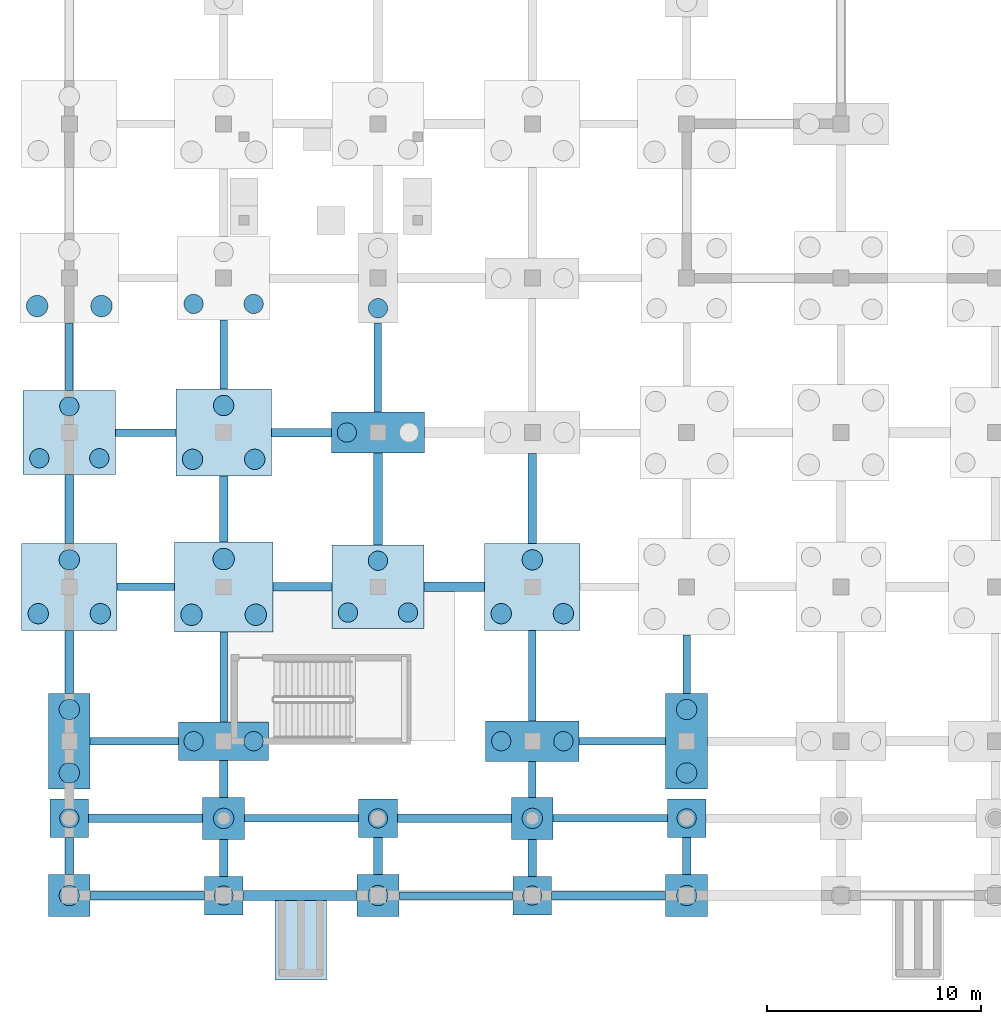
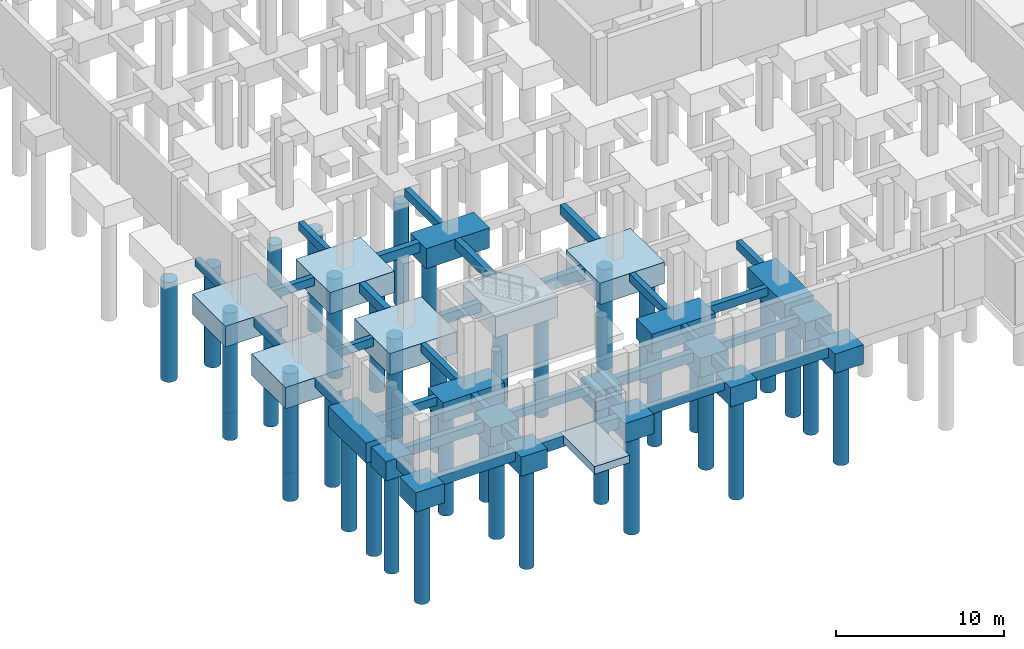
# One storey, part 1 of 35: 55 footings, 42 piles.
"""IFC4 building model written with IfcOpenShell, lengths in metres."""

import ifcopenshell
import ifcopenshell.guid

model = None  # the IFC model being written
_history = None  # IfcOwnerHistory: only IFC2X3 demands one
_inside = {}  # id of a spatial element -> (the spatial element, [elements in it])
_under = {}  # id of a project, library or spatial element -> (it, [spatial elements below it])
_declared = {}  # id of a project -> (the project, [libraries it declares])
_typed = {}  # id of a type object -> (the type object, [elements of that type])
_made_of = {}  # id of a material, layer set ... -> (it, [elements and type objects made of it])


def new_model(schema):
    """Start an empty IFC model of exactly this schema.

    Asked for "IFC4X3", IfcOpenShell would pick the latest addendum, in which some entities
    have other attributes; the version numbers below select the first issue.
    IFC2X3 requires an IfcOwnerHistory on every rooted entity: one is made here for all.
    """
    global model, _history
    if schema == "IFC4X3":
        model = ifcopenshell.file(schema_version=(4, 3, 0, 0))
    else:
        model = ifcopenshell.file(schema=schema)
    _inside.clear()
    _under.clear()
    _declared.clear()
    _typed.clear()
    _made_of.clear()
    _history = None
    if model.schema == "IFC2X3":
        org = make("IfcOrganization", Name="unknown")
        user = make(
            "IfcPersonAndOrganization",
            ThePerson=make("IfcPerson", FamilyName="unknown"),
            TheOrganization=org,
        )
        app = make(
            "IfcApplication",
            ApplicationDeveloper=org,
            Version="unknown",
            ApplicationFullName="unknown",
            ApplicationIdentifier="unknown",
        )
        _history = make(
            "IfcOwnerHistory",
            OwningUser=user,
            OwningApplication=app,
            ChangeAction="ADDED",
            CreationDate=0,
        )
    return model


def make(cls, **values):
    """One entity of the class cls with the attributes given. An attribute that is None is left unset."""
    return model.create_entity(
        cls, **{name: value for name, value in values.items() if value is not None}
    )


def rooted(cls, **values):
    """An entity with a GlobalId (a new one), such as an element, a storey or a relation."""
    return make(cls, GlobalId=ifcopenshell.guid.new(), OwnerHistory=_history, **values)


def si_unit(unit_type, name, prefix=None):
    """IfcSIUnit, for example si_unit("LENGTHUNIT", "METRE", prefix="MILLI")."""
    return make("IfcSIUnit", UnitType=unit_type, Prefix=prefix, Name=name)


def assignment(units):
    """IfcUnitAssignment: the units of a project."""
    return None if units is None else make("IfcUnitAssignment", Units=units)


def point(xyz):
    """IfcCartesianPoint."""
    return None if xyz is None else make("IfcCartesianPoint", Coordinates=xyz)


def direction(xyz):
    """IfcDirection."""
    return None if xyz is None else make("IfcDirection", DirectionRatios=xyz)


def frame(location, z_axis=None, x_axis=None):
    """IfcAxis2Placement3D, a coordinate frame: its origin and axes. An axis left out is left unset."""
    return make(
        "IfcAxis2Placement3D",
        Location=point(location),
        Axis=direction(z_axis),
        RefDirection=direction(x_axis),
    )


def frame_2d(location, x_axis=None):
    """IfcAxis2Placement2D, a coordinate frame in the plane: its origin and x axis."""
    return make(
        "IfcAxis2Placement2D", Location=point(location), RefDirection=direction(x_axis)
    )


def origin():
    """The frame at (0, 0, 0) with its axes left unset."""
    return frame((0.0, 0.0, 0.0))


def origin_2d():
    """The frame at (0, 0) in the plane with its x axis left unset."""
    return frame_2d((0.0, 0.0))


def place(relative_to, where):
    """IfcLocalPlacement: puts the frame where relative to a parent placement (None: the world)."""
    return make(
        "IfcLocalPlacement", PlacementRelTo=relative_to, RelativePlacement=where
    )


def context(
    kind, dimensions, precision=None, world=None, true_north=None, identifier=None
):
    """IfcGeometricRepresentationContext, for example the 3D "Model" context."""
    return make(
        "IfcGeometricRepresentationContext",
        ContextIdentifier=identifier,
        ContextType=kind,
        CoordinateSpaceDimension=dimensions,
        Precision=precision,
        WorldCoordinateSystem=world,
        TrueNorth=true_north,
    )


def subcontext(parent, identifier, kind, view, scale=None):
    """IfcGeometricRepresentationSubContext, for example "Body" below "Model"."""
    return make(
        "IfcGeometricRepresentationSubContext",
        ContextIdentifier=identifier,
        ContextType=kind,
        ParentContext=parent,
        TargetScale=scale,
        TargetView=view,
    )


def project(units=None, contexts=None):
    """IfcProject with its units and contexts."""
    return rooted(
        "IfcProject",
        Name="project",
        RepresentationContexts=contexts,
        UnitsInContext=assignment(units),
    )


def spatial(cls, under=None, at=None, **own):
    """A site, building, storey or space (cls), placed at a placement, below another one or the project."""
    s = rooted(cls, ObjectPlacement=at, **own)
    if under is not None:
        _under.setdefault(under.id(), (under, []))[1].append(s)
    return s


def profile(cls, at=None, kind="AREA", **sizes):
    """A parametric profile (cls). Its sizes go by their IFC names, for example OverallWidth=200.0."""
    return make(cls, ProfileType=kind, Position=at, **sizes)


def rectangle(**sizes):
    """IfcRectangleProfileDef."""
    return profile("IfcRectangleProfileDef", **sizes)


def circle(**sizes):
    """IfcCircleProfileDef."""
    return profile("IfcCircleProfileDef", **sizes)


def extrude(swept, where, along, depth):
    """IfcExtrudedAreaSolid: the profile swept, set in the frame where, extruded along a direction by depth."""
    return make(
        "IfcExtrudedAreaSolid",
        SweptArea=swept,
        Position=where,
        ExtrudedDirection=direction(along),
        Depth=depth,
    )


def shape(context_of_items, identifier, shape_type, items):
    """IfcShapeRepresentation: the items that make up one representation, for example the "Body"."""
    return make(
        "IfcShapeRepresentation",
        ContextOfItems=context_of_items,
        RepresentationIdentifier=identifier,
        RepresentationType=shape_type,
        Items=items,
    )


def material(Name=None, Category=None):
    """IfcMaterial."""
    return make("IfcMaterial", Name=Name, Category=Category)


def material_profile(
    of_material, cross_section, Name=None, Category=None, Priority=None
):
    """IfcMaterialProfile: a cross section and its material."""
    return make(
        "IfcMaterialProfile",
        Name=Name,
        Material=of_material,
        Profile=cross_section,
        Priority=Priority,
        Category=Category,
    )


def profile_set(profiles, Name=None, composite=None):
    """IfcMaterialProfileSet."""
    return make(
        "IfcMaterialProfileSet",
        Name=Name,
        MaterialProfiles=profiles,
        CompositeProfile=composite,
    )


def made_of(thing, what):
    """Note that an element or type object is made of a material, layer set ...; save() writes the relation."""
    if what is not None:
        _made_of.setdefault(what.id(), (what, []))[1].append(thing)
    return thing


def type_object(cls, material=None, **own):
    """A type object (cls), such as IfcWallType, which elements share."""
    return made_of(rooted(cls, **own), material)


def element(
    cls,
    number,
    at=None,
    inside=None,
    cuts=None,
    type_object=None,
    material=None,
    context=None,
    identifier="Body",
    shape_type=None,
    held_by="IfcProductDefinitionShape",
    body=None,
    shapes=None,
    **own,
):
    """One element of the class cls, such as IfcWall. Its Tag is "e" and its number.

    at: its placement. inside: the storey or other place that contains it. cuts: it is an
    opening in that element (IfcRelVoidsElement). A single representation is given by context,
    identifier, shape_type and body (its items); several are given by shapes. held_by: the class
    of the entity that holds the representations. save() writes the other relations.
    """
    e = rooted(cls, Tag="e%d" % number, ObjectPlacement=at, **own)
    if body is not None:
        shapes = [shape(context, identifier, shape_type, body)]
    if shapes is not None:
        e.Representation = make(held_by, Representations=shapes)
    if inside is not None:
        _inside.setdefault(inside.id(), (inside, []))[1].append(e)
    if cuts is not None:
        rooted(
            "IfcRelVoidsElement", RelatingBuildingElement=cuts, RelatedOpeningElement=e
        )
    if type_object is not None:
        _typed.setdefault(type_object.id(), (type_object, []))[1].append(e)
    return made_of(e, material)


def aggregate(whole, parts):
    """IfcRelAggregates: a whole, such as a stair, and the parts it consists of."""
    return rooted("IfcRelAggregates", RelatingObject=whole, RelatedObjects=parts)


def save(model, path):
    """Write the relations noted so far, then the file.

    IfcRelAggregates (storeys below a building ...), IfcRelContainedInSpatialStructure (elements
    in a storey), IfcRelDefinesByType, IfcRelAssociatesMaterial and IfcRelDeclares: one each for
    every whole, place, type object, material and project.
    """
    for whole, parts in _under.values():
        aggregate(whole, parts)
    for where, things in _inside.values():
        rooted(
            "IfcRelContainedInSpatialStructure",
            RelatedElements=things,
            RelatingStructure=where,
        )
    for kind, things in _typed.values():
        rooted("IfcRelDefinesByType", RelatedObjects=things, RelatingType=kind)
    for what, things in _made_of.values():
        rooted("IfcRelAssociatesMaterial", RelatedObjects=things, RelatingMaterial=what)
    for by, libraries in _declared.values():
        rooted("IfcRelDeclares", RelatingContext=by, RelatedDefinitions=libraries)
    model.write(path)


model = new_model("IFC4")

# Units and contexts
model_context = context("Model", 3, precision=1e-05, world=origin(), true_north=direction((0.0, 1.0)))
body_context = subcontext(model_context, "Body", "Model", "MODEL_VIEW")
ifc_project = project(units=[si_unit("LENGTHUNIT", "METRE"), si_unit("AREAUNIT", "SQUARE_METRE"), si_unit("VOLUMEUNIT", "CUBIC_METRE"), si_unit("PLANEANGLEUNIT", "RADIAN"), si_unit("MASSUNIT", "GRAM", prefix="KILO"), si_unit("THERMODYNAMICTEMPERATUREUNIT", "KELVIN"), si_unit("POWERUNIT", "WATT")], contexts=[model_context])

# Site, building, storey
site_placement = place(None, origin())
site = spatial("IfcSite", under=ifc_project, at=site_placement, CompositionType="ELEMENT")
building_placement = place(site_placement, origin())
building = spatial("IfcBuilding", under=site, at=building_placement, Name="Kaldorven Railside Theatre", CompositionType="ELEMENT")
storey_placement = place(building_placement, frame((0.0, 0.0, -4.800048828125)))
storey = spatial("IfcBuildingStorey", under=building, at=storey_placement, Name="B1", CompositionType="ELEMENT", Elevation=-4.800048828125)

# Footings
ifc_material_1 = material(Name="Concrete C40/50", Category="concrete")
ifc_material_profile_1 = material_profile(ifc_material_1, rectangle(XDim=0.449951171875, YDim=0.800048828125, at=origin_2d()), Name="RC 450x800")
ifc_profile_set_1 = profile_set([ifc_material_profile_1], Name="Concrete C40/50")
footing_type_1 = type_object("IfcFootingType", Name="FTG-GB01", PredefinedType="FOOTING_BEAM", material=ifc_profile_set_1)
footing_1_placement = place(storey_placement, frame((16.10009765625, 12.0, -0.39990234375), z_axis=(1.0, 0.0, 0.0), x_axis=(0.0, 1.0, 0.0)))
element("IfcFooting", 1, at=footing_1_placement, inside=storey, type_object=footing_type_1, Name="Foundation Tie Beam GB-003", PredefinedType="FOOTING_BEAM", context=body_context, shape_type="SweptSolid", body=[
    extrude(rectangle(XDim=0.449951171875, YDim=0.800048828125, at=origin_2d()), origin(), (0.0, 0.0, 1.0), 5.324951171875),
])
footing_2_placement = place(storey_placement, frame((24.550048828125, 26.39990234375, -0.39990234375), z_axis=(1.0, 0.0, 0.0), x_axis=(0.0, 1.0, 0.0)))
element("IfcFooting", 2, at=footing_2_placement, inside=storey, type_object=footing_type_1, Name="Foundation Tie Beam GB-087", PredefinedType="FOOTING_BEAM", context=body_context, shape_type="SweptSolid", body=[
    extrude(rectangle(XDim=0.449951171875, YDim=0.800048828125, at=origin_2d()), origin(), (0.0, 0.0, 1.0), 2.824951171875),
])
ifc_material_profile_2 = material_profile(ifc_material_1, rectangle(XDim=0.39990234375, YDim=0.699951171875, at=origin_2d()), Name="RC 400x700")
ifc_profile_set_2 = profile_set([ifc_material_profile_2], Name="Concrete C40/50")
footing_type_2 = type_object("IfcFootingType", Name="FTG-GB02", PredefinedType="FOOTING_BEAM", material=ifc_profile_set_2)
footing_3_placement = place(storey_placement, frame((8.97509765625, 12.0, -0.349853515625), z_axis=(1.0, 0.0, 0.0), x_axis=(0.0, 1.0, 0.0)))
element("IfcFooting", 3, at=footing_3_placement, inside=storey, type_object=footing_type_2, Name="Foundation Tie Beam GB-001", PredefinedType="FOOTING_BEAM", context=body_context, shape_type="SweptSolid", body=[
    extrude(rectangle(XDim=0.39990234375, YDim=0.699951171875, at=origin_2d()), origin(), (0.0, 0.0, 1.0), 5.324951171875),
])
footing_4_placement = place(storey_placement, frame((8.0, 12.97509765625, -0.349853515625), z_axis=(0.0, 1.0, 0.0), x_axis=(-1.0, 0.0, 0.0)))
element("IfcFooting", 4, at=footing_4_placement, inside=storey, type_object=footing_type_2, Name="Foundation Tie Beam GB-002", PredefinedType="FOOTING_BEAM", context=body_context, shape_type="SweptSolid", body=[
    extrude(rectangle(XDim=0.39990234375, YDim=0.699951171875, at=origin_2d()), origin(), (0.0, 0.0, 1.0), 1.724853515625),
])
footing_5_placement = place(storey_placement, frame((15.199951171875, 12.89990234375, -0.349853515625), z_axis=(0.0, 1.0, 0.0), x_axis=(-1.0, 0.0, 0.0)))
element("IfcFooting", 5, at=footing_5_placement, inside=storey, type_object=footing_type_2, Name="Foundation Tie Beam GB-004", PredefinedType="FOOTING_BEAM", context=body_context, shape_type="SweptSolid", body=[
    extrude(rectangle(XDim=0.39990234375, YDim=0.699951171875, at=origin_2d()), origin(), (0.0, 0.0, 1.0), 1.72509765625),
])
footing_6_placement = place(storey_placement, frame((22.39990234375, 12.97509765625, -0.349853515625), z_axis=(0.0, 1.0, 0.0), x_axis=(-1.0, 0.0, 0.0)))
element("IfcFooting", 6, at=footing_6_placement, inside=storey, type_object=footing_type_2, Name="Foundation Tie Beam GB-006", PredefinedType="FOOTING_BEAM", context=body_context, shape_type="SweptSolid", body=[
    extrude(rectangle(XDim=0.39990234375, YDim=0.699951171875, at=origin_2d()), origin(), (0.0, 0.0, 1.0), 1.724853515625),
])
footing_7_placement = place(storey_placement, frame((30.5, 12.0, -0.349853515625), z_axis=(1.0, 0.0, 0.0), x_axis=(0.0, 1.0, 0.0)))
element("IfcFooting", 7, at=footing_7_placement, inside=storey, type_object=footing_type_2, Name="Foundation Tie Beam GB-007", PredefinedType="FOOTING_BEAM", context=body_context, shape_type="SweptSolid", body=[
    extrude(rectangle(XDim=0.39990234375, YDim=0.699951171875, at=origin_2d()), origin(), (0.0, 0.0, 1.0), 5.324951171875),
])
footing_8_placement = place(storey_placement, frame((29.60009765625, 12.89990234375, -0.349853515625), z_axis=(0.0, 1.0, 0.0), x_axis=(-1.0, 0.0, 0.0)))
element("IfcFooting", 8, at=footing_8_placement, inside=storey, type_object=footing_type_2, Name="Foundation Tie Beam GB-008", PredefinedType="FOOTING_BEAM", context=body_context, shape_type="SweptSolid", body=[
    extrude(rectangle(XDim=0.39990234375, YDim=0.699951171875, at=origin_2d()), origin(), (0.0, 0.0, 1.0), 1.72509765625),
])
footing_9_placement = place(storey_placement, frame((36.800048828125, 12.97509765625, -0.349853515625), z_axis=(0.0, 1.0, 0.0), x_axis=(-1.0, 0.0, 0.0)))
element("IfcFooting", 9, at=footing_9_placement, inside=storey, type_object=footing_type_2, Name="Foundation Tie Beam GB-010", PredefinedType="FOOTING_BEAM", context=body_context, shape_type="SweptSolid", body=[
    extrude(rectangle(XDim=0.39990234375, YDim=0.699951171875, at=origin_2d()), origin(), (0.0, 0.0, 1.0), 1.724853515625),
])
footing_10_placement = place(storey_placement, frame((8.89990234375, 15.60009765625, -0.349853515625), z_axis=(1.0, 0.0, 0.0), x_axis=(0.0, 1.0, 0.0)))
element("IfcFooting", 10, at=footing_10_placement, inside=storey, type_object=footing_type_2, Name="Foundation Tie Beam GB-034", PredefinedType="FOOTING_BEAM", context=body_context, shape_type="SweptSolid", body=[
    extrude(rectangle(XDim=0.39990234375, YDim=0.699951171875, at=origin_2d()), origin(), (0.0, 0.0, 1.0), 5.3251953125),
])
footing_11_placement = place(storey_placement, frame((15.199951171875, 16.574951171875, -0.349853515625), z_axis=(0.0, 1.0, 0.0), x_axis=(-1.0, 0.0, 0.0)))
element("IfcFooting", 11, at=footing_11_placement, inside=storey, type_object=footing_type_2, Name="Foundation Tie Beam GB-036", PredefinedType="FOOTING_BEAM", context=body_context, shape_type="SweptSolid", body=[
    extrude(rectangle(XDim=0.39990234375, YDim=0.699951171875, at=origin_2d()), origin(), (0.0, 0.0, 1.0), 1.72509765625),
])
footing_12_placement = place(storey_placement, frame((23.300048828125, 15.60009765625, -0.349853515625), z_axis=(1.0, 0.0, 0.0), x_axis=(0.0, 1.0, 0.0)))
element("IfcFooting", 12, at=footing_12_placement, inside=storey, type_object=footing_type_2, Name="Foundation Tie Beam GB-037", PredefinedType="FOOTING_BEAM", context=body_context, shape_type="SweptSolid", body=[
    extrude(rectangle(XDim=0.39990234375, YDim=0.699951171875, at=origin_2d()), origin(), (0.0, 0.0, 1.0), 5.324951171875),
])
footing_13_placement = place(storey_placement, frame((8.0, 21.425048828125, -0.349853515625), z_axis=(0.0, 1.0, 0.0), x_axis=(-1.0, 0.0, 0.0)))
element("IfcFooting", 13, at=footing_13_placement, inside=storey, type_object=footing_type_2, Name="Foundation Tie Beam GB-060", PredefinedType="FOOTING_BEAM", context=body_context, shape_type="SweptSolid", body=[
    extrude(rectangle(XDim=0.39990234375, YDim=0.699951171875, at=origin_2d()), origin(), (0.0, 0.0, 1.0), 2.949951171875),
])
footing_14_placement = place(storey_placement, frame((8.0, 28.425048828125, -0.349853515625), z_axis=(0.0, 1.0, 0.0), x_axis=(-1.0, 0.0, 0.0)))
element("IfcFooting", 14, at=footing_14_placement, inside=storey, type_object=footing_type_2, Name="Foundation Tie Beam GB-084", PredefinedType="FOOTING_BEAM", context=body_context, shape_type="SweptSolid", body=[
    extrude(rectangle(XDim=0.39990234375, YDim=0.699951171875, at=origin_2d()), origin(), (0.0, 0.0, 1.0), 3.224853515625),
])
footing_15_placement = place(storey_placement, frame((17.5, 26.39990234375, -0.349853515625), z_axis=(1.0, 0.0, 0.0), x_axis=(0.0, 1.0, 0.0)))
element("IfcFooting", 15, at=footing_15_placement, inside=storey, type_object=footing_type_2, Name="Foundation Tie Beam GB-085", PredefinedType="FOOTING_BEAM", context=body_context, shape_type="SweptSolid", body=[
    extrude(rectangle(XDim=0.39990234375, YDim=0.699951171875, at=origin_2d()), origin(), (0.0, 0.0, 1.0), 2.75),
])
footing_16_placement = place(storey_placement, frame((15.199951171875, 28.5, -0.349853515625), z_axis=(0.0, 1.0, 0.0), x_axis=(-1.0, 0.0, 0.0)))
element("IfcFooting", 16, at=footing_16_placement, inside=storey, type_object=footing_type_2, Name="Foundation Tie Beam GB-086", PredefinedType="FOOTING_BEAM", context=body_context, shape_type="SweptSolid", body=[
    extrude(rectangle(XDim=0.39990234375, YDim=0.699951171875, at=origin_2d()), origin(), (0.0, 0.0, 1.0), 3.074951171875),
])
footing_17_placement = place(storey_placement, frame((22.39990234375, 28.35009765625, -0.349853515625), z_axis=(0.0, 1.0, 0.0), x_axis=(-1.0, 0.0, 0.0)))
element("IfcFooting", 17, at=footing_17_placement, inside=storey, type_object=footing_type_2, Name="Foundation Tie Beam GB-088", PredefinedType="FOOTING_BEAM", context=body_context, shape_type="SweptSolid", body=[
    extrude(rectangle(XDim=0.39990234375, YDim=0.699951171875, at=origin_2d()), origin(), (0.0, 0.0, 1.0), 4.2998046875),
])
footing_18_placement = place(storey_placement, frame((29.60009765625, 28.425048828125, -0.349853515625), z_axis=(0.0, 1.0, 0.0), x_axis=(-1.0, 0.0, 0.0)))
element("IfcFooting", 18, at=footing_18_placement, inside=storey, type_object=footing_type_2, Name="Foundation Tie Beam GB-090", PredefinedType="FOOTING_BEAM", context=body_context, shape_type="SweptSolid", body=[
    extrude(rectangle(XDim=0.39990234375, YDim=0.699951171875, at=origin_2d()), origin(), (0.0, 0.0, 1.0), 4.199951171875),
])
footing_19_placement = place(storey_placement, frame((17.425048828125, 33.60009765625, -0.349853515625), z_axis=(1.0, 0.0, 0.0), x_axis=(0.0, 1.0, 0.0)))
element("IfcFooting", 19, at=footing_19_placement, inside=storey, type_object=footing_type_2, Name="Foundation Tie Beam GB-118", PredefinedType="FOOTING_BEAM", context=body_context, shape_type="SweptSolid", body=[
    extrude(rectangle(XDim=0.39990234375, YDim=0.699951171875, at=origin_2d()), origin(), (0.0, 0.0, 1.0), 2.800048828125),
])
ifc_material_profile_3 = material_profile(ifc_material_1, rectangle(XDim=0.35009765625, YDim=0.60009765625, at=origin_2d()), Name="RC 350x600")
ifc_profile_set_3 = profile_set([ifc_material_profile_3], Name="Concrete C40/50")
footing_type_3 = type_object("IfcFootingType", Name="FTG-GB03", PredefinedType="FOOTING_BEAM", material=ifc_profile_set_3)
for number, where, z_axis, x_axis, name in (
    (20, (23.375, 12.0, -0.300048828125), (1.0, 0.0, 0.0), (0.0, 1.0, 0.0), "Foundation Tie Beam GB-005"),
    (21, (16.175048828125, 15.60009765625, -0.300048828125), (1.0, 0.0, 0.0), (0.0, 1.0, 0.0), "Foundation Tie Beam GB-035"),
    (22, (30.574951171875, 15.60009765625, -0.300048828125), (1.0, 0.0, 0.0), (0.0, 1.0, 0.0), "Foundation Tie Beam GB-038"),
):
    element("IfcFooting", number, at=place(storey_placement, frame(where, z_axis=z_axis, x_axis=x_axis)), inside=storey, type_object=footing_type_3, Name=name, PredefinedType="FOOTING_BEAM", context=body_context, shape_type="SweptSolid", body=[
        extrude(rectangle(XDim=0.35009765625, YDim=0.60009765625, at=origin_2d()), origin(), (0.0, 0.0, 1.0), 5.324951171875),
    ])
footing_20_placement = place(storey_placement, frame((29.60009765625, 16.574951171875, -0.300048828125), z_axis=(0.0, 1.0, 0.0), x_axis=(-1.0, 0.0, 0.0)))
element("IfcFooting", 23, at=footing_20_placement, inside=storey, type_object=footing_type_3, Name="Foundation Tie Beam GB-039", PredefinedType="FOOTING_BEAM", context=body_context, shape_type="SweptSolid", body=[
    extrude(rectangle(XDim=0.35009765625, YDim=0.60009765625, at=origin_2d()), origin(), (0.0, 0.0, 1.0), 1.675048828125),
])
footing_21_placement = place(storey_placement, frame((8.97509765625, 19.199951171875, -0.300048828125), z_axis=(1.0, 0.0, 0.0), x_axis=(0.0, 1.0, 0.0)))
element("IfcFooting", 24, at=footing_21_placement, inside=storey, type_object=footing_type_3, Name="Foundation Tie Beam GB-059", PredefinedType="FOOTING_BEAM", context=body_context, shape_type="SweptSolid", body=[
    extrude(rectangle(XDim=0.35009765625, YDim=0.60009765625, at=origin_2d()), origin(), (0.0, 0.0, 1.0), 4.125),
])
footing_22_placement = place(storey_placement, frame((15.199951171875, 20.10009765625, -0.300048828125), z_axis=(0.0, 1.0, 0.0), x_axis=(-1.0, 0.0, 0.0)))
element("IfcFooting", 25, at=footing_22_placement, inside=storey, type_object=footing_type_3, Name="Foundation Tie Beam GB-061", PredefinedType="FOOTING_BEAM", context=body_context, shape_type="SweptSolid", body=[
    extrude(rectangle(XDim=0.35009765625, YDim=0.60009765625, at=origin_2d()), origin(), (0.0, 0.0, 1.0), 4.199951171875),
])
footing_23_placement = place(storey_placement, frame((31.77490234375, 19.199951171875, -0.300048828125), z_axis=(1.0, 0.0, 0.0), x_axis=(0.0, 1.0, 0.0)))
element("IfcFooting", 26, at=footing_23_placement, inside=storey, type_object=footing_type_3, Name="Foundation Tie Beam GB-062", PredefinedType="FOOTING_BEAM", context=body_context, shape_type="SweptSolid", body=[
    extrude(rectangle(XDim=0.35009765625, YDim=0.60009765625, at=origin_2d()), origin(), (0.0, 0.0, 1.0), 4.050048828125),
])
footing_24_placement = place(storey_placement, frame((29.60009765625, 20.14990234375, -0.300048828125), z_axis=(0.0, 1.0, 0.0), x_axis=(-1.0, 0.0, 0.0)))
element("IfcFooting", 27, at=footing_24_placement, inside=storey, type_object=footing_type_3, Name="Foundation Tie Beam GB-063", PredefinedType="FOOTING_BEAM", context=body_context, shape_type="SweptSolid", body=[
    extrude(rectangle(XDim=0.35009765625, YDim=0.60009765625, at=origin_2d()), origin(), (0.0, 0.0, 1.0), 4.22509765625),
])
footing_25_placement = place(storey_placement, frame((36.800048828125, 21.425048828125, -0.300048828125), z_axis=(0.0, 1.0, 0.0), x_axis=(-1.0, 0.0, 0.0)))
element("IfcFooting", 28, at=footing_25_placement, inside=storey, type_object=footing_type_3, Name="Foundation Tie Beam GB-065", PredefinedType="FOOTING_BEAM", context=body_context, shape_type="SweptSolid", body=[
    extrude(rectangle(XDim=0.35009765625, YDim=0.60009765625, at=origin_2d()), origin(), (0.0, 0.0, 1.0), 2.724853515625),
])
footing_26_placement = place(storey_placement, frame((10.22509765625, 26.39990234375, -0.300048828125), z_axis=(1.0, 0.0, 0.0), x_axis=(0.0, 1.0, 0.0)))
element("IfcFooting", 29, at=footing_26_placement, inside=storey, type_object=footing_type_3, Name="Foundation Tie Beam GB-083", PredefinedType="FOOTING_BEAM", context=body_context, shape_type="SweptSolid", body=[
    extrude(rectangle(XDim=0.35009765625, YDim=0.60009765625, at=origin_2d()), origin(), (0.0, 0.0, 1.0), 2.6748046875),
])
footing_27_placement = place(storey_placement, frame((10.14990234375, 33.60009765625, -0.300048828125), z_axis=(1.0, 0.0, 0.0), x_axis=(0.0, 1.0, 0.0)))
element("IfcFooting", 30, at=footing_27_placement, inside=storey, type_object=footing_type_3, Name="Foundation Tie Beam GB-116", PredefinedType="FOOTING_BEAM", context=body_context, shape_type="SweptSolid", body=[
    extrude(rectangle(XDim=0.35009765625, YDim=0.60009765625, at=origin_2d()), origin(), (0.0, 0.0, 1.0), 2.8251953125),
])
footing_28_placement = place(storey_placement, frame((8.0, 35.550048828125, -0.300048828125), z_axis=(0.0, 1.0, 0.0), x_axis=(-1.0, 0.0, 0.0)))
element("IfcFooting", 31, at=footing_28_placement, inside=storey, type_object=footing_type_3, Name="Foundation Tie Beam GB-117", PredefinedType="FOOTING_BEAM", context=body_context, shape_type="SweptSolid", body=[
    extrude(rectangle(XDim=0.35009765625, YDim=0.60009765625, at=origin_2d()), origin(), (0.0, 0.0, 1.0), 3.14990234375),
])
footing_29_placement = place(storey_placement, frame((15.199951171875, 35.625, -0.300048828125), z_axis=(0.0, 1.0, 0.0), x_axis=(-1.0, 0.0, 0.0)))
element("IfcFooting", 32, at=footing_29_placement, inside=storey, type_object=footing_type_3, Name="Foundation Tie Beam GB-119", PredefinedType="FOOTING_BEAM", context=body_context, shape_type="SweptSolid", body=[
    extrude(rectangle(XDim=0.35009765625, YDim=0.60009765625, at=origin_2d()), origin(), (0.0, 0.0, 1.0), 3.22509765625),
])
footing_30_placement = place(storey_placement, frame((22.39990234375, 34.550048828125, -0.300048828125), z_axis=(0.0, 1.0, 0.0), x_axis=(-1.0, 0.0, 0.0)))
element("IfcFooting", 33, at=footing_30_placement, inside=storey, type_object=footing_type_3, Name="Foundation Tie Beam GB-121", PredefinedType="FOOTING_BEAM", context=body_context, shape_type="SweptSolid", body=[
    extrude(rectangle(XDim=0.35009765625, YDim=0.60009765625, at=origin_2d()), origin(), (0.0, 0.0, 1.0), 4.14990234375),
])
footing_type_4 = type_object("IfcFootingType", Name="FTG-PC01", PredefinedType="PILE_CAP", material=ifc_material_1)
for number, where, z_axis, x_axis, name in (
    (34, (15.199951171875, 12.0, -1.39990234375), (0.0, 0.0, 1.0), (1.0, 0.0, 0.0), "Reinforced Concrete Pile Cap FC-002"),
    (35, (29.60009765625, 12.0, -1.39990234375), (0.0, 0.0, 1.0), (1.0, 0.0, 0.0), "Reinforced Concrete Pile Cap FC-004"),
    (36, (8.0, 15.60009765625, -1.39990234375), (0.0, 0.0, 1.0), (1.0, 0.0, 0.0), "Reinforced Concrete Pile Cap FC-018"),
    (37, (22.39990234375, 15.60009765625, -1.39990234375), (0.0, 0.0, 1.0), (1.0, 0.0, 0.0), "Reinforced Concrete Pile Cap FC-020"),
    (38, (36.800048828125, 15.60009765625, -1.39990234375), (0.0, 0.0, 1.0), (1.0, 0.0, 0.0), "Reinforced Concrete Pile Cap FC-022"),
):
    element("IfcFooting", number, at=place(storey_placement, frame(where, z_axis=z_axis, x_axis=x_axis)), inside=storey, type_object=footing_type_4, Name=name, PredefinedType="PILE_CAP", context=body_context, shape_type="SweptSolid", body=[
        extrude(rectangle(XDim=1.800048828125, YDim=1.800048828125, at=origin_2d()), origin(), (0.0, 0.0, 1.0), 1.39990234375),
    ])
footing_type_5 = type_object("IfcFootingType", Name="FTG-PC02", PredefinedType="PILE_CAP", material=ifc_material_1)
for number, where, z_axis, x_axis, name in (
    (39, (8.0, 12.0, -1.39990234375), (0.0, 0.0, 1.0), (1.0, 0.0, 0.0), "Reinforced Concrete Pile Cap FC-001"),
    (40, (22.39990234375, 12.0, -1.39990234375), (0.0, 0.0, 1.0), (1.0, 0.0, 0.0), "Reinforced Concrete Pile Cap FC-003"),
    (41, (36.800048828125, 12.0, -1.39990234375), (0.0, 0.0, 1.0), (1.0, 0.0, 0.0), "Reinforced Concrete Pile Cap FC-005"),
    (42, (15.199951171875, 15.60009765625, -1.39990234375), (0.0, 0.0, 1.0), (1.0, 0.0, 0.0), "Reinforced Concrete Pile Cap FC-019"),
    (43, (29.60009765625, 15.60009765625, -1.39990234375), (0.0, 0.0, 1.0), (1.0, 0.0, 0.0), "Reinforced Concrete Pile Cap FC-021"),
):
    element("IfcFooting", number, at=place(storey_placement, frame(where, z_axis=z_axis, x_axis=x_axis)), inside=storey, type_object=footing_type_5, Name=name, PredefinedType="PILE_CAP", context=body_context, shape_type="SweptSolid", body=[
        extrude(rectangle(XDim=1.949951171875, YDim=1.949951171875, at=origin_2d()), origin(), (0.0, 0.0, 1.0), 1.39990234375),
    ])
footing_type_6 = type_object("IfcFootingType", Name="FTG-PC03", PredefinedType="PILE_CAP", material=ifc_material_1)
footing_31_placement = place(storey_placement, frame((15.199951171875, 19.199951171875, -1.39990234375), z_axis=(0.0, 0.0, 1.0), x_axis=(1.0, 0.0, 0.0)))
element("IfcFooting", 44, at=footing_31_placement, inside=storey, type_object=footing_type_6, Name="Reinforced Concrete Pile Cap FC-036", PredefinedType="PILE_CAP", context=body_context, shape_type="SweptSolid", body=[
    extrude(rectangle(XDim=4.199951171875, YDim=1.800048828125, at=origin_2d()), origin(), (0.0, 0.0, 1.0), 1.39990234375),
])
footing_type_7 = type_object("IfcFootingType", Name="FTG-PC05", PredefinedType="PILE_CAP", material=ifc_material_1)
for number, where, z_axis, x_axis, name in (
    (45, (29.60009765625, 19.199951171875, -1.44970703125), (0.0, 0.0, 1.0), (1.0, 0.0, 0.0), "Reinforced Concrete Pile Cap FC-037"),
    (46, (22.39990234375, 33.60009765625, -1.44970703125), (0.0, 0.0, 1.0), (1.0, 0.0, 0.0), "Reinforced Concrete Pile Cap FC-068"),
):
    element("IfcFooting", number, at=place(storey_placement, frame(where, z_axis=z_axis, x_axis=x_axis)), inside=storey, type_object=footing_type_7, Name=name, PredefinedType="PILE_CAP", context=body_context, shape_type="SweptSolid", body=[
        extrude(rectangle(XDim=4.35009765625, YDim=1.89990234375, at=origin_2d()), origin(), (0.0, 0.0, 1.0), 1.449951171875),
    ])
footing_type_8 = type_object("IfcFootingType", Name="FTG-PC07", PredefinedType="PILE_CAP", material=ifc_material_1)
for number, where, z_axis, x_axis, name in (
    (47, (8.0, 19.199951171875, -1.44970703125), (0.0, 0.0, 1.0), (1.0, 0.0, 0.0), "Reinforced Concrete Pile Cap FC-035"),
    (48, (36.800048828125, 19.199951171875, -1.44970703125), (0.0, 0.0, 1.0), (1.0, 0.0, 0.0), "Reinforced Concrete Pile Cap FC-038"),
):
    element("IfcFooting", number, at=place(storey_placement, frame(where, z_axis=z_axis, x_axis=x_axis)), inside=storey, type_object=footing_type_8, Name=name, PredefinedType="PILE_CAP", context=body_context, shape_type="SweptSolid", body=[
        extrude(rectangle(XDim=1.949951171875, YDim=4.449951171875, at=origin_2d()), origin(), (0.0, 0.0, 1.0), 1.449951171875),
    ])
footing_type_9 = type_object("IfcFootingType", Name="FTG-PC09", PredefinedType="PILE_CAP", material=ifc_material_1)
for number, where, z_axis, x_axis, name in (
    (49, (22.39990234375, 26.39990234375, -1.5), (0.0, 0.0, 1.0), (1.0, 0.0, 0.0), "Reinforced Concrete Pile Cap FC-051"),
    (50, (8.0, 33.60009765625, -1.5), (0.0, 0.0, 1.0), (1.0, 0.0, 0.0), "Reinforced Concrete Pile Cap FC-066"),
):
    element("IfcFooting", number, at=place(storey_placement, frame(where, z_axis=z_axis, x_axis=x_axis)), inside=storey, type_object=footing_type_9, Name=name, PredefinedType="PILE_CAP", context=body_context, shape_type="SweptSolid", body=[
        extrude(rectangle(XDim=4.300048828125, YDim=3.89990234375, at=origin_2d()), origin(), (0.0, 0.0, 1.0), 1.5),
    ])
footing_type_10 = type_object("IfcFootingType", Name="FTG-PC10", PredefinedType="PILE_CAP", material=ifc_material_1)
for number, where, z_axis, x_axis, name in (
    (51, (8.0, 26.39990234375, -1.5498046875), (0.0, 0.0, 1.0), (1.0, 0.0, 0.0), "Reinforced Concrete Pile Cap FC-049"),
    (52, (29.60009765625, 26.39990234375, -1.5498046875), (0.0, 0.0, 1.0), (1.0, 0.0, 0.0), "Reinforced Concrete Pile Cap FC-052"),
    (53, (15.199951171875, 33.60009765625, -1.5498046875), (0.0, 0.0, 1.0), (1.0, 0.0, 0.0), "Reinforced Concrete Pile Cap FC-067"),
):
    element("IfcFooting", number, at=place(storey_placement, frame(where, z_axis=z_axis, x_axis=x_axis)), inside=storey, type_object=footing_type_10, Name=name, PredefinedType="PILE_CAP", context=body_context, shape_type="SweptSolid", body=[
        extrude(rectangle(XDim=4.449951171875, YDim=4.050048828125, at=origin_2d()), origin(), (0.0, 0.0, 1.0), 1.550048828125),
    ])
footing_type_11 = type_object("IfcFootingType", Name="FTG-PC11", PredefinedType="PILE_CAP", material=ifc_material_1)
footing_32_placement = place(storey_placement, frame((15.199951171875, 26.39990234375, -1.5498046875), z_axis=(0.0, 0.0, 1.0), x_axis=(1.0, 0.0, 0.0)))
element("IfcFooting", 54, at=footing_32_placement, inside=storey, type_object=footing_type_11, Name="Reinforced Concrete Pile Cap FC-050", PredefinedType="PILE_CAP", context=body_context, shape_type="SweptSolid", body=[
    extrude(rectangle(XDim=4.60009765625, YDim=4.199951171875, at=origin_2d()), origin(), (0.0, 0.0, 1.0), 1.550048828125),
])
footing_type_12 = type_object("IfcFootingType", Name="FTG-SF01", PredefinedType="PAD_FOOTING", material=ifc_material_1)
footing_33_placement = place(storey_placement, frame((18.800048828125, 10.110107421875, -0.5498046875), z_axis=(0.0, 0.0, 1.0), x_axis=(1.0, 0.0, 0.0)))
element("IfcFooting", 55, at=footing_33_placement, inside=storey, type_object=footing_type_12, Name="Arrival Ramp Foundation Pad FRM-01", PredefinedType="PAD_FOOTING", context=body_context, shape_type="SweptSolid", body=[
    extrude(rectangle(XDim=2.39990234375, YDim=4.10009765625, at=origin_2d()), origin(), (0.0, 0.0, 1.0), 0.550048828125),
])

# Piles
ifc_material_2 = material(Name="Concrete C35/45", Category="concrete")
ifc_material_profile_4 = material_profile(ifc_material_2, circle(Radius=0.5, at=origin_2d()), Name="BP D1000")
ifc_profile_set_4 = profile_set([ifc_material_profile_4], Name="Concrete C35/45")
pile_type_1 = type_object("IfcPileType", Name="PIL-D1000", PredefinedType="BORED", material=ifc_profile_set_4)
for number, where, z_axis, x_axis, name in (
    (56, (13.699951171875, 25.10009765625, -1.449951171875), (0.0, 0.0, -1.0), (1.0, 0.0, 0.0), "Bored Bedrock Socket Pile BP-015-026-1"),
    (57, (16.699951171875, 25.10009765625, -1.449951171875), (0.0, 0.0, -1.0), (1.0, 0.0, 0.0), "Bored Bedrock Socket Pile BP-015-026-2"),
    (58, (15.199951171875, 27.699951171875, -1.449951171875), (0.0, 0.0, -1.0), (1.0, 0.0, 0.0), "Bored Bedrock Socket Pile BP-015-026-3"),
    (59, (6.5, 39.5, -1.449951171875), (0.0, 0.0, -1.0), (1.0, 0.0, 0.0), "Bored Bedrock Socket Pile BP-008-040-1"),
    (60, (9.5, 39.5, -1.449951171875), (0.0, 0.0, -1.0), (1.0, 0.0, 0.0), "Bored Bedrock Socket Pile BP-008-040-2"),
):
    element("IfcPile", number, at=place(storey_placement, frame(where, z_axis=z_axis, x_axis=x_axis)), inside=storey, type_object=pile_type_1, Name=name, PredefinedType="BORED", context=body_context, shape_type="SweptSolid", body=[
        extrude(circle(Radius=0.5, at=origin_2d()), origin(), (0.0, 0.0, 1.0), 7.25),
    ])
ifc_material_profile_5 = material_profile(ifc_material_2, circle(Radius=0.449951171875, at=origin_2d()), Name="BP D900")
ifc_profile_set_5 = profile_set([ifc_material_profile_5], Name="Concrete C35/45")
pile_type_2 = type_object("IfcPileType", Name="PIL-D900", PredefinedType="BORED", material=ifc_profile_set_5)
for number, where, z_axis, x_axis, name in (
    (61, (15.199951171875, 12.0, -1.300048828125), (0.0, 0.0, -1.0), (1.0, 0.0, 0.0), "Bored Bedrock Socket Pile BP-015-012-1"),
    (62, (29.60009765625, 12.0, -1.300048828125), (0.0, 0.0, -1.0), (1.0, 0.0, 0.0), "Bored Bedrock Socket Pile BP-029-012-1"),
    (63, (8.0, 15.60009765625, -1.300048828125), (0.0, 0.0, -1.0), (1.0, 0.0, 0.0), "Bored Bedrock Socket Pile BP-008-015-1"),
    (64, (22.39990234375, 15.60009765625, -1.300048828125), (0.0, 0.0, -1.0), (1.0, 0.0, 0.0), "Bored Bedrock Socket Pile BP-022-015-1"),
    (65, (36.800048828125, 15.60009765625, -1.300048828125), (0.0, 0.0, -1.0), (1.0, 0.0, 0.0), "Bored Bedrock Socket Pile BP-036-015-1"),
    (66, (13.800048828125, 19.199951171875, -1.300048828125), (0.0, 0.0, -1.0), (1.0, 0.0, 0.0), "Bored Bedrock Socket Pile BP-015-019-1"),
    (67, (16.60009765625, 19.199951171875, -1.300048828125), (0.0, 0.0, -1.0), (1.0, 0.0, 0.0), "Bored Bedrock Socket Pile BP-015-019-2"),
):
    element("IfcPile", number, at=place(storey_placement, frame(where, z_axis=z_axis, x_axis=x_axis)), inside=storey, type_object=pile_type_2, Name=name, PredefinedType="BORED", context=body_context, shape_type="SweptSolid", body=[
        extrude(circle(Radius=0.449951171875, at=origin_2d()), origin(), (0.0, 0.0, 1.0), 7.39990234375),
    ])
for number, where, z_axis, x_axis, name in (
    (68, (28.14990234375, 19.199951171875, -1.349853515625), (0.0, 0.0, -1.0), (1.0, 0.0, 0.0), "Bored Bedrock Socket Pile BP-029-019-1"),
    (69, (31.050048828125, 19.199951171875, -1.349853515625), (0.0, 0.0, -1.0), (1.0, 0.0, 0.0), "Bored Bedrock Socket Pile BP-029-019-2"),
):
    element("IfcPile", number, at=place(storey_placement, frame(where, z_axis=z_axis, x_axis=x_axis)), inside=storey, type_object=pile_type_2, Name=name, PredefinedType="BORED", context=body_context, shape_type="SweptSolid", body=[
        extrude(circle(Radius=0.449951171875, at=origin_2d()), origin(), (0.0, 0.0, 1.0), 7.35009765625),
    ])
for number, where, z_axis, x_axis, name in (
    (70, (21.0, 25.199951171875, -1.39990234375), (0.0, 0.0, -1.0), (1.0, 0.0, 0.0), "Bored Bedrock Socket Pile BP-022-026-1"),
    (71, (23.800048828125, 25.199951171875, -1.39990234375), (0.0, 0.0, -1.0), (1.0, 0.0, 0.0), "Bored Bedrock Socket Pile BP-022-026-2"),
    (72, (22.39990234375, 27.6201171875, -1.39990234375), (0.0, 0.0, -1.0), (1.0, 0.0, 0.0), "Bored Bedrock Socket Pile BP-022-026-3"),
    (73, (6.60009765625, 32.39990234375, -1.39990234375), (0.0, 0.0, -1.0), (1.0, 0.0, 0.0), "Bored Bedrock Socket Pile BP-008-033-1"),
    (74, (9.39990234375, 32.39990234375, -1.39990234375), (0.0, 0.0, -1.0), (1.0, 0.0, 0.0), "Bored Bedrock Socket Pile BP-008-033-2"),
    (75, (8.0, 34.820068359375, -1.39990234375), (0.0, 0.0, -1.0), (1.0, 0.0, 0.0), "Bored Bedrock Socket Pile BP-008-033-3"),
):
    element("IfcPile", number, at=place(storey_placement, frame(where, z_axis=z_axis, x_axis=x_axis)), inside=storey, type_object=pile_type_2, Name=name, PredefinedType="BORED", context=body_context, shape_type="SweptSolid", body=[
        extrude(circle(Radius=0.449951171875, at=origin_2d()), origin(), (0.0, 0.0, 1.0), 7.300048828125),
    ])
pile_1_placement = place(storey_placement, frame((20.949951171875, 33.60009765625, -1.349853515625), z_axis=(0.0, 0.0, -1.0), x_axis=(1.0, 0.0, 0.0)))
element("IfcPile", 76, at=pile_1_placement, inside=storey, type_object=pile_type_2, Name="Bored Bedrock Socket Pile BP-022-033-1", PredefinedType="BORED", context=body_context, shape_type="SweptSolid", body=[
    extrude(circle(Radius=0.449951171875, at=origin_2d()), origin(), (0.0, 0.0, 1.0), 7.35009765625),
])
for number, where, z_axis, x_axis, name in (
    (77, (13.800048828125, 39.60009765625, -1.39990234375), (0.0, 0.0, -1.0), (1.0, 0.0, 0.0), "Bored Bedrock Socket Pile BP-015-040-1"),
    (78, (16.60009765625, 39.60009765625, -1.39990234375), (0.0, 0.0, -1.0), (1.0, 0.0, 0.0), "Bored Bedrock Socket Pile BP-015-040-2"),
):
    element("IfcPile", number, at=place(storey_placement, frame(where, z_axis=z_axis, x_axis=x_axis)), inside=storey, type_object=pile_type_2, Name=name, PredefinedType="BORED", context=body_context, shape_type="SweptSolid", body=[
        extrude(circle(Radius=0.449951171875, at=origin_2d()), origin(), (0.0, 0.0, 1.0), 7.300048828125),
    ])
pile_2_placement = place(storey_placement, frame((22.39990234375, 39.39990234375, -1.300048828125), z_axis=(0.0, 0.0, -1.0), x_axis=(1.0, 0.0, 0.0)))
element("IfcPile", 79, at=pile_2_placement, inside=storey, type_object=pile_type_2, Name="Bored Bedrock Socket Pile BP-022-040-1", PredefinedType="BORED", context=body_context, shape_type="SweptSolid", body=[
    extrude(circle(Radius=0.449951171875, at=origin_2d()), origin(), (0.0, 0.0, 1.0), 7.39990234375),
])
ifc_material_profile_6 = material_profile(ifc_material_2, circle(Radius=0.47509765625, at=origin_2d()), Name="BP D950")
ifc_profile_set_6 = profile_set([ifc_material_profile_6], Name="Concrete C35/45")
pile_type_3 = type_object("IfcPileType", Name="PIL-D950", PredefinedType="BORED", material=ifc_profile_set_6)
for number, where, z_axis, x_axis, name in (
    (80, (8.0, 12.0, -1.300048828125), (0.0, 0.0, -1.0), (1.0, 0.0, 0.0), "Bored Bedrock Socket Pile BP-008-012-1"),
    (81, (22.39990234375, 12.0, -1.300048828125), (0.0, 0.0, -1.0), (1.0, 0.0, 0.0), "Bored Bedrock Socket Pile BP-022-012-1"),
    (82, (36.800048828125, 12.0, -1.300048828125), (0.0, 0.0, -1.0), (1.0, 0.0, 0.0), "Bored Bedrock Socket Pile BP-036-012-1"),
    (83, (15.199951171875, 15.60009765625, -1.300048828125), (0.0, 0.0, -1.0), (1.0, 0.0, 0.0), "Bored Bedrock Socket Pile BP-015-015-1"),
    (84, (29.60009765625, 15.60009765625, -1.300048828125), (0.0, 0.0, -1.0), (1.0, 0.0, 0.0), "Bored Bedrock Socket Pile BP-029-015-1"),
):
    element("IfcPile", number, at=place(storey_placement, frame(where, z_axis=z_axis, x_axis=x_axis)), inside=storey, type_object=pile_type_3, Name=name, PredefinedType="BORED", context=body_context, shape_type="SweptSolid", body=[
        extrude(circle(Radius=0.47509765625, at=origin_2d()), origin(), (0.0, 0.0, 1.0), 7.39990234375),
    ])
for number, where, z_axis, x_axis, name in (
    (85, (8.0, 17.719970703125, -1.349853515625), (0.0, 0.0, -1.0), (1.0, 0.0, 0.0), "Bored Bedrock Socket Pile BP-008-019-1"),
    (86, (8.0, 20.679931640625, -1.349853515625), (0.0, 0.0, -1.0), (1.0, 0.0, 0.0), "Bored Bedrock Socket Pile BP-008-019-2"),
    (87, (36.800048828125, 17.719970703125, -1.349853515625), (0.0, 0.0, -1.0), (1.0, 0.0, 0.0), "Bored Bedrock Socket Pile BP-036-019-1"),
    (88, (36.800048828125, 20.679931640625, -1.349853515625), (0.0, 0.0, -1.0), (1.0, 0.0, 0.0), "Bored Bedrock Socket Pile BP-036-019-2"),
):
    element("IfcPile", number, at=place(storey_placement, frame(where, z_axis=z_axis, x_axis=x_axis)), inside=storey, type_object=pile_type_3, Name=name, PredefinedType="BORED", context=body_context, shape_type="SweptSolid", body=[
        extrude(circle(Radius=0.47509765625, at=origin_2d()), origin(), (0.0, 0.0, 1.0), 7.35009765625),
    ])
for number, where, z_axis, x_axis, name in (
    (89, (6.550048828125, 25.14990234375, -1.449951171875), (0.0, 0.0, -1.0), (1.0, 0.0, 0.0), "Bored Bedrock Socket Pile BP-008-026-1"),
    (90, (9.449951171875, 25.14990234375, -1.449951171875), (0.0, 0.0, -1.0), (1.0, 0.0, 0.0), "Bored Bedrock Socket Pile BP-008-026-2"),
    (91, (8.0, 27.659912109375, -1.449951171875), (0.0, 0.0, -1.0), (1.0, 0.0, 0.0), "Bored Bedrock Socket Pile BP-008-026-3"),
    (92, (28.14990234375, 25.14990234375, -1.449951171875), (0.0, 0.0, -1.0), (1.0, 0.0, 0.0), "Bored Bedrock Socket Pile BP-029-026-1"),
    (93, (31.050048828125, 25.14990234375, -1.449951171875), (0.0, 0.0, -1.0), (1.0, 0.0, 0.0), "Bored Bedrock Socket Pile BP-029-026-2"),
    (94, (29.60009765625, 27.659912109375, -1.449951171875), (0.0, 0.0, -1.0), (1.0, 0.0, 0.0), "Bored Bedrock Socket Pile BP-029-026-3"),
    (95, (13.75, 32.35009765625, -1.449951171875), (0.0, 0.0, -1.0), (1.0, 0.0, 0.0), "Bored Bedrock Socket Pile BP-015-033-1"),
    (96, (16.64990234375, 32.35009765625, -1.449951171875), (0.0, 0.0, -1.0), (1.0, 0.0, 0.0), "Bored Bedrock Socket Pile BP-015-033-2"),
    (97, (15.199951171875, 34.860107421875, -1.449951171875), (0.0, 0.0, -1.0), (1.0, 0.0, 0.0), "Bored Bedrock Socket Pile BP-015-033-3"),
):
    element("IfcPile", number, at=place(storey_placement, frame(where, z_axis=z_axis, x_axis=x_axis)), inside=storey, type_object=pile_type_3, Name=name, PredefinedType="BORED", context=body_context, shape_type="SweptSolid", body=[
        extrude(circle(Radius=0.47509765625, at=origin_2d()), origin(), (0.0, 0.0, 1.0), 7.25),
    ])

save(model, "model.ifc")
